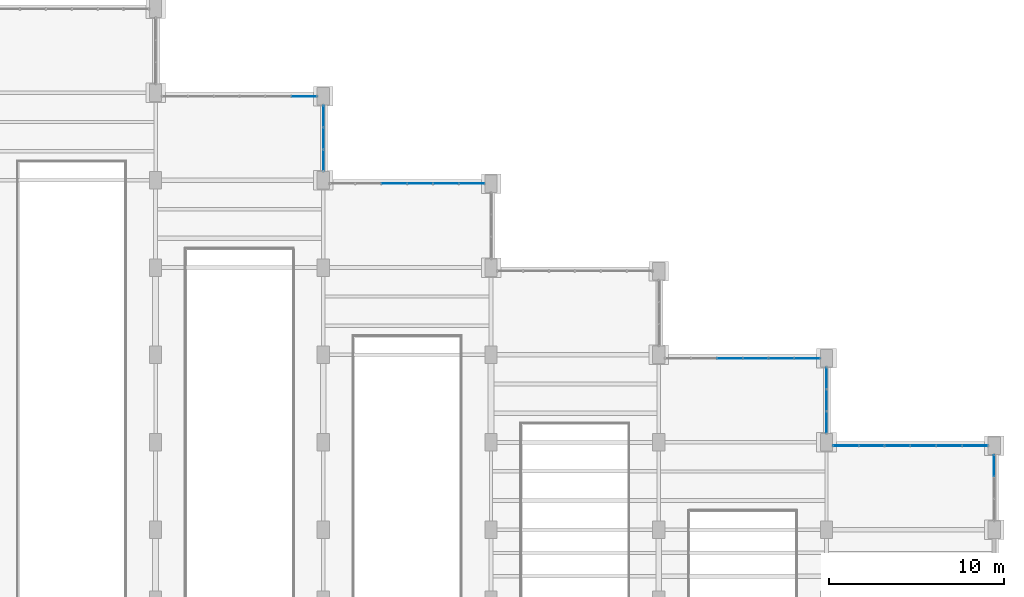
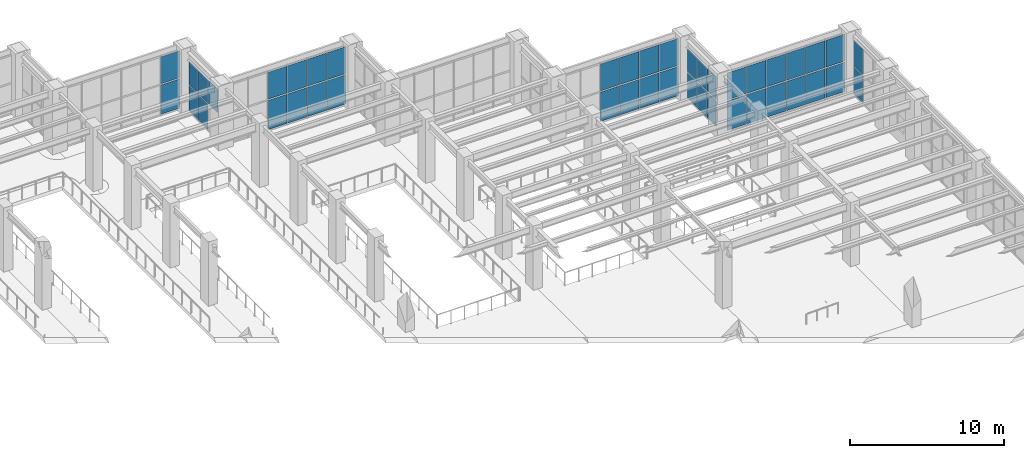
# One storey, part 139 of 174: 43 plates, 7 elements without a shape of their own.
"""IFC4 building model written with IfcOpenShell, lengths in metres."""

import ifcopenshell
import ifcopenshell.guid

model = None  # the IFC model being written
_history = None  # IfcOwnerHistory: only IFC2X3 demands one
_inside = {}  # id of a spatial element -> (the spatial element, [elements in it])
_under = {}  # id of a project, library or spatial element -> (it, [spatial elements below it])
_declared = {}  # id of a project -> (the project, [libraries it declares])
_typed = {}  # id of a type object -> (the type object, [elements of that type])
_made_of = {}  # id of a material, layer set ... -> (it, [elements and type objects made of it])


def new_model(schema):
    """Start an empty IFC model of exactly this schema.

    Asked for "IFC4X3", IfcOpenShell would pick the latest addendum, in which some entities
    have other attributes; the version numbers below select the first issue.
    IFC2X3 requires an IfcOwnerHistory on every rooted entity: one is made here for all.
    """
    global model, _history
    if schema == "IFC4X3":
        model = ifcopenshell.file(schema_version=(4, 3, 0, 0))
    else:
        model = ifcopenshell.file(schema=schema)
    _inside.clear()
    _under.clear()
    _declared.clear()
    _typed.clear()
    _made_of.clear()
    _history = None
    if model.schema == "IFC2X3":
        org = make("IfcOrganization", Name="unknown")
        user = make(
            "IfcPersonAndOrganization",
            ThePerson=make("IfcPerson", FamilyName="unknown"),
            TheOrganization=org,
        )
        app = make(
            "IfcApplication",
            ApplicationDeveloper=org,
            Version="unknown",
            ApplicationFullName="unknown",
            ApplicationIdentifier="unknown",
        )
        _history = make(
            "IfcOwnerHistory",
            OwningUser=user,
            OwningApplication=app,
            ChangeAction="ADDED",
            CreationDate=0,
        )
    return model


def make(cls, **values):
    """One entity of the class cls with the attributes given. An attribute that is None is left unset."""
    return model.create_entity(
        cls, **{name: value for name, value in values.items() if value is not None}
    )


def rooted(cls, **values):
    """An entity with a GlobalId (a new one), such as an element, a storey or a relation."""
    return make(cls, GlobalId=ifcopenshell.guid.new(), OwnerHistory=_history, **values)


def si_unit(unit_type, name, prefix=None):
    """IfcSIUnit, for example si_unit("LENGTHUNIT", "METRE", prefix="MILLI")."""
    return make("IfcSIUnit", UnitType=unit_type, Prefix=prefix, Name=name)


def assignment(units):
    """IfcUnitAssignment: the units of a project."""
    return None if units is None else make("IfcUnitAssignment", Units=units)


def point(xyz):
    """IfcCartesianPoint."""
    return None if xyz is None else make("IfcCartesianPoint", Coordinates=xyz)


def direction(xyz):
    """IfcDirection."""
    return None if xyz is None else make("IfcDirection", DirectionRatios=xyz)


def frame(location, z_axis=None, x_axis=None):
    """IfcAxis2Placement3D, a coordinate frame: its origin and axes. An axis left out is left unset."""
    return make(
        "IfcAxis2Placement3D",
        Location=point(location),
        Axis=direction(z_axis),
        RefDirection=direction(x_axis),
    )


def frame_2d(location, x_axis=None):
    """IfcAxis2Placement2D, a coordinate frame in the plane: its origin and x axis."""
    return make(
        "IfcAxis2Placement2D", Location=point(location), RefDirection=direction(x_axis)
    )


def origin():
    """The frame at (0, 0, 0) with its axes left unset."""
    return frame((0.0, 0.0, 0.0))


def origin_2d():
    """The frame at (0, 0) in the plane with its x axis left unset."""
    return frame_2d((0.0, 0.0))


def place(relative_to, where):
    """IfcLocalPlacement: puts the frame where relative to a parent placement (None: the world)."""
    return make(
        "IfcLocalPlacement", PlacementRelTo=relative_to, RelativePlacement=where
    )


def context(
    kind, dimensions, precision=None, world=None, true_north=None, identifier=None
):
    """IfcGeometricRepresentationContext, for example the 3D "Model" context."""
    return make(
        "IfcGeometricRepresentationContext",
        ContextIdentifier=identifier,
        ContextType=kind,
        CoordinateSpaceDimension=dimensions,
        Precision=precision,
        WorldCoordinateSystem=world,
        TrueNorth=true_north,
    )


def subcontext(parent, identifier, kind, view, scale=None):
    """IfcGeometricRepresentationSubContext, for example "Body" below "Model"."""
    return make(
        "IfcGeometricRepresentationSubContext",
        ContextIdentifier=identifier,
        ContextType=kind,
        ParentContext=parent,
        TargetScale=scale,
        TargetView=view,
    )


def project(units=None, contexts=None):
    """IfcProject with its units and contexts."""
    return rooted(
        "IfcProject",
        Name="project",
        RepresentationContexts=contexts,
        UnitsInContext=assignment(units),
    )


def spatial(cls, under=None, at=None, **own):
    """A site, building, storey or space (cls), placed at a placement, below another one or the project."""
    s = rooted(cls, ObjectPlacement=at, **own)
    if under is not None:
        _under.setdefault(under.id(), (under, []))[1].append(s)
    return s


def profile(cls, at=None, kind="AREA", **sizes):
    """A parametric profile (cls). Its sizes go by their IFC names, for example OverallWidth=200.0."""
    return make(cls, ProfileType=kind, Position=at, **sizes)


def rectangle(**sizes):
    """IfcRectangleProfileDef."""
    return profile("IfcRectangleProfileDef", **sizes)


def extrude(swept, where, along, depth):
    """IfcExtrudedAreaSolid: the profile swept, set in the frame where, extruded along a direction by depth."""
    return make(
        "IfcExtrudedAreaSolid",
        SweptArea=swept,
        Position=where,
        ExtrudedDirection=direction(along),
        Depth=depth,
    )


def shape(context_of_items, identifier, shape_type, items):
    """IfcShapeRepresentation: the items that make up one representation, for example the "Body"."""
    return make(
        "IfcShapeRepresentation",
        ContextOfItems=context_of_items,
        RepresentationIdentifier=identifier,
        RepresentationType=shape_type,
        Items=items,
    )


def material(Name=None, Category=None):
    """IfcMaterial."""
    return make("IfcMaterial", Name=Name, Category=Category)


def layer(
    of_material, thickness, ventilated=None, Name=None, Category=None, Priority=None
):
    """IfcMaterialLayer: one layer of a wall or slab, of a material (None: an air gap)."""
    return make(
        "IfcMaterialLayer",
        Material=of_material,
        LayerThickness=thickness,
        IsVentilated=ventilated,
        Name=Name,
        Category=Category,
        Priority=Priority,
    )


def layer_set(layers, Name=None):
    """IfcMaterialLayerSet."""
    return make("IfcMaterialLayerSet", MaterialLayers=layers, LayerSetName=Name)


def made_of(thing, what):
    """Note that an element or type object is made of a material, layer set ...; save() writes the relation."""
    if what is not None:
        _made_of.setdefault(what.id(), (what, []))[1].append(thing)
    return thing


def type_object(cls, material=None, **own):
    """A type object (cls), such as IfcWallType, which elements share."""
    return made_of(rooted(cls, **own), material)


def element(
    cls,
    number,
    at=None,
    inside=None,
    cuts=None,
    type_object=None,
    material=None,
    context=None,
    identifier="Body",
    shape_type=None,
    held_by="IfcProductDefinitionShape",
    body=None,
    shapes=None,
    **own,
):
    """One element of the class cls, such as IfcWall. Its Tag is "e" and its number.

    at: its placement. inside: the storey or other place that contains it. cuts: it is an
    opening in that element (IfcRelVoidsElement). A single representation is given by context,
    identifier, shape_type and body (its items); several are given by shapes. held_by: the class
    of the entity that holds the representations. save() writes the other relations.
    """
    e = rooted(cls, Tag="e%d" % number, ObjectPlacement=at, **own)
    if body is not None:
        shapes = [shape(context, identifier, shape_type, body)]
    if shapes is not None:
        e.Representation = make(held_by, Representations=shapes)
    if inside is not None:
        _inside.setdefault(inside.id(), (inside, []))[1].append(e)
    if cuts is not None:
        rooted(
            "IfcRelVoidsElement", RelatingBuildingElement=cuts, RelatedOpeningElement=e
        )
    if type_object is not None:
        _typed.setdefault(type_object.id(), (type_object, []))[1].append(e)
    return made_of(e, material)


def aggregate(whole, parts):
    """IfcRelAggregates: a whole, such as a stair, and the parts it consists of."""
    return rooted("IfcRelAggregates", RelatingObject=whole, RelatedObjects=parts)


def save(model, path):
    """Write the relations noted so far, then the file.

    IfcRelAggregates (storeys below a building ...), IfcRelContainedInSpatialStructure (elements
    in a storey), IfcRelDefinesByType, IfcRelAssociatesMaterial and IfcRelDeclares: one each for
    every whole, place, type object, material and project.
    """
    for whole, parts in _under.values():
        aggregate(whole, parts)
    for where, things in _inside.values():
        rooted(
            "IfcRelContainedInSpatialStructure",
            RelatedElements=things,
            RelatingStructure=where,
        )
    for kind, things in _typed.values():
        rooted("IfcRelDefinesByType", RelatedObjects=things, RelatingType=kind)
    for what, things in _made_of.values():
        rooted("IfcRelAssociatesMaterial", RelatedObjects=things, RelatingMaterial=what)
    for by, libraries in _declared.values():
        rooted("IfcRelDeclares", RelatingContext=by, RelatedDefinitions=libraries)
    model.write(path)


model = new_model("IFC4")

# Units and contexts
model_context = context("Model", 3, precision=1e-05, world=origin(), true_north=direction((0.0, 1.0)))
body_context = subcontext(model_context, "Body", "Model", "MODEL_VIEW")
ifc_project = project(units=[si_unit("LENGTHUNIT", "METRE"), si_unit("AREAUNIT", "SQUARE_METRE"), si_unit("VOLUMEUNIT", "CUBIC_METRE"), si_unit("PLANEANGLEUNIT", "RADIAN"), si_unit("MASSUNIT", "GRAM", prefix="KILO")], contexts=[model_context])

# Site, building, storey
site_placement = place(None, origin())
site = spatial("IfcSite", under=ifc_project, at=site_placement, CompositionType="ELEMENT")
building_placement = place(site_placement, origin())
building = spatial("IfcBuilding", under=site, at=building_placement, Name="Mavantir Sound Aquarium", CompositionType="ELEMENT")
storey_placement = place(building_placement, frame((0.0, 0.0, 5.39990234375)))
storey = spatial("IfcBuildingStorey", under=building, at=storey_placement, Name="L01", CompositionType="ELEMENT", Elevation=5.39990234375)

# Curtain wall, plates
ifc_material_1 = material(Name="Anodised Marine Aluminium and Low-E Glass", Category="aluminium")
curtain_wall_type_1 = type_object("IfcCurtainWallType", Name="CW-T11", PredefinedType="USERDEFINED", material=ifc_material_1)
curtain_wall_1_placement = place(storey_placement, origin())
curtain_wall_1 = element("IfcCurtainWall", 1, at=curtain_wall_1_placement, inside=storey, type_object=curtain_wall_type_1, Name="L01 unitised curtain wall CW-11 83", ObjectType="UNITISED GLAZING", PredefinedType="USERDEFINED")
ifc_material_2 = material(Name="Solar-Control Laminated Low-E Glass", Category="glass")
ifc_layer_1 = layer(ifc_material_2, 0.028076171875, Name="Solar-Control Laminated Low-E Glass")
ifc_layer_set_1 = layer_set([ifc_layer_1], Name="Solar-Control Laminated Low-E Glass")
plate_type_1 = type_object("IfcPlateType", Name="CW-PNL-28", PredefinedType="CURTAIN_PANEL", material=ifc_layer_set_1)
plate_1_placement = place(storey_placement, frame((136.800048828125, 81.938720703125, 2.1982421875), z_axis=(0.0, 0.0, 1.0), x_axis=(0.0, 1.0, 0.0)))
plate_1 = element("IfcPlate", 2, at=plate_1_placement, type_object=plate_type_1, Name="CW-L01-083 glazed curtain panel 1.2", PredefinedType="CURTAIN_PANEL", context=body_context, shape_type="SweptSolid", body=[
    extrude(rectangle(XDim=1.21337890625, YDim=0.028076171875, at=origin_2d()), origin(), (0.0, 0.0, 1.0), 1.833740234375),
])
plate_2_placement = place(storey_placement, frame((136.800048828125, 83.199951171875, 0.10302734375), z_axis=(0.0, 0.0, 1.0), x_axis=(0.0, 1.0, 0.0)))
plate_2 = element("IfcPlate", 3, at=plate_2_placement, type_object=plate_type_1, Name="CW-L01-083 glazed curtain panel 2.1", PredefinedType="CURTAIN_PANEL", context=body_context, shape_type="SweptSolid", body=[
    extrude(rectangle(XDim=1.21337890625, YDim=0.028076171875, at=origin_2d()), origin(), (0.0, 0.0, 1.0), 1.999267578125),
])
plate_3_placement = place(storey_placement, frame((136.800048828125, 83.199951171875, 2.1982421875), z_axis=(0.0, 0.0, 1.0), x_axis=(0.0, 1.0, 0.0)))
plate_3 = element("IfcPlate", 4, at=plate_3_placement, type_object=plate_type_1, Name="CW-L01-083 glazed curtain panel 2.2", PredefinedType="CURTAIN_PANEL", context=body_context, shape_type="SweptSolid", body=[
    extrude(rectangle(XDim=1.21337890625, YDim=0.028076171875, at=origin_2d()), origin(), (0.0, 0.0, 1.0), 1.833740234375),
])
plate_4_placement = place(storey_placement, frame((136.800048828125, 84.461181640625, 0.10302734375), z_axis=(0.0, 0.0, 1.0), x_axis=(0.0, 1.0, 0.0)))
plate_4 = element("IfcPlate", 5, at=plate_4_placement, type_object=plate_type_1, Name="CW-L01-083 glazed curtain panel 3.1", PredefinedType="CURTAIN_PANEL", context=body_context, shape_type="SweptSolid", body=[
    extrude(rectangle(XDim=1.21337890625, YDim=0.028076171875, at=origin_2d()), origin(), (0.0, 0.0, 1.0), 1.999267578125),
])
plate_5_placement = place(storey_placement, frame((136.800048828125, 84.461181640625, 2.1982421875), z_axis=(0.0, 0.0, 1.0), x_axis=(0.0, 1.0, 0.0)))
plate_5 = element("IfcPlate", 6, at=plate_5_placement, type_object=plate_type_1, Name="CW-L01-083 glazed curtain panel 3.2", PredefinedType="CURTAIN_PANEL", context=body_context, shape_type="SweptSolid", body=[
    extrude(rectangle(XDim=1.21337890625, YDim=0.028076171875, at=origin_2d()), origin(), (0.0, 0.0, 1.0), 1.833740234375),
])
aggregate(curtain_wall_1, [plate_1, plate_2, plate_3, plate_4, plate_5])

curtain_wall_2_placement = place(storey_placement, origin())
curtain_wall_2 = element("IfcCurtainWall", 7, at=curtain_wall_2_placement, inside=storey, type_object=curtain_wall_type_1, Name="L01 unitised curtain wall CW-11 107", ObjectType="UNITISED GLAZING", PredefinedType="USERDEFINED")
plate_6_placement = place(storey_placement, frame((175.199951171875, 64.461181640625, 0.10302734375), z_axis=(0.0, 0.0, 1.0), x_axis=(0.0, 1.0, 0.0)))
plate_6 = element("IfcPlate", 8, at=plate_6_placement, type_object=plate_type_1, Name="CW-L01-107 glazed curtain panel 3.1", PredefinedType="CURTAIN_PANEL", context=body_context, shape_type="SweptSolid", body=[
    extrude(rectangle(XDim=1.21337890625, YDim=0.028076171875, at=origin_2d()), origin(), (0.0, 0.0, 1.0), 2.160888671875),
])
plate_7_placement = place(storey_placement, frame((175.199951171875, 64.461181640625, 2.35986328125), z_axis=(0.0, 0.0, 1.0), x_axis=(0.0, 1.0, 0.0)))
plate_7 = element("IfcPlate", 9, at=plate_7_placement, type_object=plate_type_1, Name="CW-L01-107 glazed curtain panel 3.2", PredefinedType="CURTAIN_PANEL", context=body_context, shape_type="SweptSolid", body=[
    extrude(rectangle(XDim=1.21337890625, YDim=0.028076171875, at=origin_2d()), origin(), (0.0, 0.0, 1.0), 1.983154296875),
])
aggregate(curtain_wall_2, [plate_6, plate_7])

curtain_wall_type_2 = type_object("IfcCurtainWallType", Name="CW-T13", PredefinedType="USERDEFINED", material=ifc_material_1)
curtain_wall_3_placement = place(storey_placement, origin())
curtain_wall_3 = element("IfcCurtainWall", 10, at=curtain_wall_3_placement, inside=storey, type_object=curtain_wall_type_2, Name="L01 unitised curtain wall CW-13 109", ObjectType="UNITISED GLAZING", PredefinedType="USERDEFINED")
plate_8_placement = place(storey_placement, frame((165.60009765625, 66.938720703125, 0.10302734375), z_axis=(0.0, 0.0, 1.0), x_axis=(0.0, 1.0, 0.0)))
plate_8 = element("IfcPlate", 11, at=plate_8_placement, type_object=plate_type_1, Name="CW-L01-109 glazed curtain panel 1.1", PredefinedType="CURTAIN_PANEL", context=body_context, shape_type="SweptSolid", body=[
    extrude(rectangle(XDim=1.21337890625, YDim=0.028076171875, at=origin_2d()), origin(), (0.0, 0.0, 1.0), 1.999267578125),
])
plate_9_placement = place(storey_placement, frame((165.60009765625, 66.938720703125, 2.1982421875), z_axis=(0.0, 0.0, 1.0), x_axis=(0.0, 1.0, 0.0)))
plate_9 = element("IfcPlate", 12, at=plate_9_placement, type_object=plate_type_1, Name="CW-L01-109 glazed curtain panel 1.2", PredefinedType="CURTAIN_PANEL", context=body_context, shape_type="SweptSolid", body=[
    extrude(rectangle(XDim=1.21337890625, YDim=0.028076171875, at=origin_2d()), origin(), (0.0, 0.0, 1.0), 1.833740234375),
])
plate_10_placement = place(storey_placement, frame((165.60009765625, 68.199951171875, 0.10302734375), z_axis=(0.0, 0.0, 1.0), x_axis=(0.0, 1.0, 0.0)))
plate_10 = element("IfcPlate", 13, at=plate_10_placement, type_object=plate_type_1, Name="CW-L01-109 glazed curtain panel 2.1", PredefinedType="CURTAIN_PANEL", context=body_context, shape_type="SweptSolid", body=[
    extrude(rectangle(XDim=1.21337890625, YDim=0.028076171875, at=origin_2d()), origin(), (0.0, 0.0, 1.0), 1.999267578125),
])
plate_11_placement = place(storey_placement, frame((165.60009765625, 68.199951171875, 2.1982421875), z_axis=(0.0, 0.0, 1.0), x_axis=(0.0, 1.0, 0.0)))
plate_11 = element("IfcPlate", 14, at=plate_11_placement, type_object=plate_type_1, Name="CW-L01-109 glazed curtain panel 2.2", PredefinedType="CURTAIN_PANEL", context=body_context, shape_type="SweptSolid", body=[
    extrude(rectangle(XDim=1.21337890625, YDim=0.028076171875, at=origin_2d()), origin(), (0.0, 0.0, 1.0), 1.833740234375),
])
plate_12_placement = place(storey_placement, frame((165.60009765625, 69.461181640625, 0.10302734375), z_axis=(0.0, 0.0, 1.0), x_axis=(0.0, 1.0, 0.0)))
plate_12 = element("IfcPlate", 15, at=plate_12_placement, type_object=plate_type_1, Name="CW-L01-109 glazed curtain panel 3.1", PredefinedType="CURTAIN_PANEL", context=body_context, shape_type="SweptSolid", body=[
    extrude(rectangle(XDim=1.21337890625, YDim=0.028076171875, at=origin_2d()), origin(), (0.0, 0.0, 1.0), 1.999267578125),
])
plate_13_placement = place(storey_placement, frame((165.60009765625, 69.461181640625, 2.1982421875), z_axis=(0.0, 0.0, 1.0), x_axis=(0.0, 1.0, 0.0)))
plate_13 = element("IfcPlate", 16, at=plate_13_placement, type_object=plate_type_1, Name="CW-L01-109 glazed curtain panel 3.2", PredefinedType="CURTAIN_PANEL", context=body_context, shape_type="SweptSolid", body=[
    extrude(rectangle(XDim=1.21337890625, YDim=0.028076171875, at=origin_2d()), origin(), (0.0, 0.0, 1.0), 1.833740234375),
])
aggregate(curtain_wall_3, [plate_8, plate_9, plate_10, plate_11, plate_12, plate_13])

curtain_wall_type_3 = type_object("IfcCurtainWallType", Name="CW-T10", PredefinedType="USERDEFINED", material=ifc_material_1)
curtain_wall_4_placement = place(storey_placement, origin())
curtain_wall_4 = element("IfcCurtainWall", 17, at=curtain_wall_4_placement, inside=storey, type_object=curtain_wall_type_3, Name="L01 unitised curtain wall CW-10 82", ObjectType="UNITISED GLAZING", PredefinedType="USERDEFINED")
ifc_layer_2 = layer(ifc_material_2, 0.031982421875, Name="Solar-Control Laminated Low-E Glass")
ifc_layer_set_2 = layer_set([ifc_layer_2], Name="Solar-Control Laminated Low-E Glass")
plate_type_2 = type_object("IfcPlateType", Name="CW-PNL-32", PredefinedType="CURTAIN_PANEL", material=ifc_layer_set_2)
plate_14_placement = place(storey_placement, frame((145.3017578125, 80.60009765625, 0.10302734375), z_axis=(0.0, 0.0, 1.0), x_axis=(-1.0, 0.0, 0.0)))
plate_14 = element("IfcPlate", 18, at=plate_14_placement, type_object=plate_type_2, Name="CW-L01-082 glazed curtain panel 1.1", PredefinedType="CURTAIN_PANEL", context=body_context, shape_type="SweptSolid", body=[
    extrude(rectangle(XDim=1.4326171875, YDim=0.031982421875, at=origin_2d()), origin(), (0.0, 0.0, 1.0), 2.32421875),
])
plate_15_placement = place(storey_placement, frame((145.3017578125, 80.60009765625, 2.523193359375), z_axis=(0.0, 0.0, 1.0), x_axis=(-1.0, 0.0, 0.0)))
plate_15 = element("IfcPlate", 19, at=plate_15_placement, type_object=plate_type_2, Name="CW-L01-082 glazed curtain panel 1.2", PredefinedType="CURTAIN_PANEL", context=body_context, shape_type="SweptSolid", body=[
    extrude(rectangle(XDim=1.4326171875, YDim=0.031982421875, at=origin_2d()), origin(), (0.0, 0.0, 1.0), 2.1337890625),
])
plate_16_placement = place(storey_placement, frame((143.821044921875, 80.60009765625, 0.10302734375), z_axis=(0.0, 0.0, 1.0), x_axis=(-1.0, 0.0, 0.0)))
plate_16 = element("IfcPlate", 20, at=plate_16_placement, type_object=plate_type_2, Name="CW-L01-082 glazed curtain panel 2.1", PredefinedType="CURTAIN_PANEL", context=body_context, shape_type="SweptSolid", body=[
    extrude(rectangle(XDim=1.4326171875, YDim=0.031982421875, at=origin_2d()), origin(), (0.0, 0.0, 1.0), 2.32421875),
])
plate_17_placement = place(storey_placement, frame((143.821044921875, 80.60009765625, 2.523193359375), z_axis=(0.0, 0.0, 1.0), x_axis=(-1.0, 0.0, 0.0)))
plate_17 = element("IfcPlate", 21, at=plate_17_placement, type_object=plate_type_2, Name="CW-L01-082 glazed curtain panel 2.2", PredefinedType="CURTAIN_PANEL", context=body_context, shape_type="SweptSolid", body=[
    extrude(rectangle(XDim=1.4326171875, YDim=0.031982421875, at=origin_2d()), origin(), (0.0, 0.0, 1.0), 2.1337890625),
])
plate_18_placement = place(storey_placement, frame((142.34033203125, 80.60009765625, 0.10302734375), z_axis=(0.0, 0.0, 1.0), x_axis=(-1.0, 0.0, 0.0)))
plate_18 = element("IfcPlate", 22, at=plate_18_placement, type_object=plate_type_2, Name="CW-L01-082 glazed curtain panel 3.1", PredefinedType="CURTAIN_PANEL", context=body_context, shape_type="SweptSolid", body=[
    extrude(rectangle(XDim=1.4326171875, YDim=0.031982421875, at=origin_2d()), origin(), (0.0, 0.0, 1.0), 2.32421875),
])
plate_19_placement = place(storey_placement, frame((142.34033203125, 80.60009765625, 2.523193359375), z_axis=(0.0, 0.0, 1.0), x_axis=(-1.0, 0.0, 0.0)))
plate_19 = element("IfcPlate", 23, at=plate_19_placement, type_object=plate_type_2, Name="CW-L01-082 glazed curtain panel 3.2", PredefinedType="CURTAIN_PANEL", context=body_context, shape_type="SweptSolid", body=[
    extrude(rectangle(XDim=1.4326171875, YDim=0.031982421875, at=origin_2d()), origin(), (0.0, 0.0, 1.0), 2.1337890625),
])
plate_20_placement = place(storey_placement, frame((140.859619140625, 80.60009765625, 0.10302734375), z_axis=(0.0, 0.0, 1.0), x_axis=(-1.0, 0.0, 0.0)))
plate_20 = element("IfcPlate", 24, at=plate_20_placement, type_object=plate_type_2, Name="CW-L01-082 glazed curtain panel 4.1", PredefinedType="CURTAIN_PANEL", context=body_context, shape_type="SweptSolid", body=[
    extrude(rectangle(XDim=1.4326171875, YDim=0.031982421875, at=origin_2d()), origin(), (0.0, 0.0, 1.0), 2.32421875),
])
plate_21_placement = place(storey_placement, frame((140.859619140625, 80.60009765625, 2.523193359375), z_axis=(0.0, 0.0, 1.0), x_axis=(-1.0, 0.0, 0.0)))
plate_21 = element("IfcPlate", 25, at=plate_21_placement, type_object=plate_type_2, Name="CW-L01-082 glazed curtain panel 4.2", PredefinedType="CURTAIN_PANEL", context=body_context, shape_type="SweptSolid", body=[
    extrude(rectangle(XDim=1.4326171875, YDim=0.031982421875, at=origin_2d()), origin(), (0.0, 0.0, 1.0), 2.1337890625),
])
aggregate(curtain_wall_4, [plate_14, plate_15, plate_16, plate_17, plate_18, plate_19, plate_20, plate_21])

curtain_wall_type_4 = type_object("IfcCurtainWallType", Name="CW-T12", PredefinedType="USERDEFINED", material=ifc_material_1)
curtain_wall_5_placement = place(storey_placement, origin())
curtain_wall_5 = element("IfcCurtainWall", 26, at=curtain_wall_5_placement, inside=storey, type_object=curtain_wall_type_4, Name="L01 unitised curtain wall CW-12 84", ObjectType="UNITISED GLAZING", PredefinedType="USERDEFINED")
plate_22_placement = place(storey_placement, frame((135.70166015625, 85.60009765625, 0.10302734375), z_axis=(0.0, 0.0, 1.0), x_axis=(-1.0, 0.0, 0.0)))
plate_22 = element("IfcPlate", 27, at=plate_22_placement, type_object=plate_type_2, Name="CW-L01-084 glazed curtain panel 1.1", PredefinedType="CURTAIN_PANEL", context=body_context, shape_type="SweptSolid", body=[
    extrude(rectangle(XDim=1.4326171875, YDim=0.031982421875, at=origin_2d()), origin(), (0.0, 0.0, 1.0), 2.32421875),
])
plate_23_placement = place(storey_placement, frame((135.70166015625, 85.60009765625, 2.523193359375), z_axis=(0.0, 0.0, 1.0), x_axis=(-1.0, 0.0, 0.0)))
plate_23 = element("IfcPlate", 28, at=plate_23_placement, type_object=plate_type_2, Name="CW-L01-084 glazed curtain panel 1.2", PredefinedType="CURTAIN_PANEL", context=body_context, shape_type="SweptSolid", body=[
    extrude(rectangle(XDim=1.4326171875, YDim=0.031982421875, at=origin_2d()), origin(), (0.0, 0.0, 1.0), 2.1337890625),
])
aggregate(curtain_wall_5, [plate_22, plate_23])

curtain_wall_6_placement = place(storey_placement, origin())
curtain_wall_6 = element("IfcCurtainWall", 29, at=curtain_wall_6_placement, inside=storey, type_object=curtain_wall_type_4, Name="L01 unitised curtain wall CW-12 108", ObjectType="UNITISED GLAZING", PredefinedType="USERDEFINED")
plate_24_placement = place(storey_placement, frame((174.101806640625, 65.60009765625, 0.10302734375), z_axis=(0.0, 0.0, 1.0), x_axis=(-1.0, 0.0, 0.0)))
plate_24 = element("IfcPlate", 30, at=plate_24_placement, type_object=plate_type_2, Name="CW-L01-108 glazed curtain panel 1.1", PredefinedType="CURTAIN_PANEL", context=body_context, shape_type="SweptSolid", body=[
    extrude(rectangle(XDim=1.4326171875, YDim=0.031982421875, at=origin_2d()), origin(), (0.0, 0.0, 1.0), 2.32421875),
])
plate_25_placement = place(storey_placement, frame((174.101806640625, 65.60009765625, 2.523193359375), z_axis=(0.0, 0.0, 1.0), x_axis=(-1.0, 0.0, 0.0)))
plate_25 = element("IfcPlate", 31, at=plate_25_placement, type_object=plate_type_2, Name="CW-L01-108 glazed curtain panel 1.2", PredefinedType="CURTAIN_PANEL", context=body_context, shape_type="SweptSolid", body=[
    extrude(rectangle(XDim=1.4326171875, YDim=0.031982421875, at=origin_2d()), origin(), (0.0, 0.0, 1.0), 2.1337890625),
])
plate_26_placement = place(storey_placement, frame((172.62109375, 65.60009765625, 0.10302734375), z_axis=(0.0, 0.0, 1.0), x_axis=(-1.0, 0.0, 0.0)))
plate_26 = element("IfcPlate", 32, at=plate_26_placement, type_object=plate_type_2, Name="CW-L01-108 glazed curtain panel 2.1", PredefinedType="CURTAIN_PANEL", context=body_context, shape_type="SweptSolid", body=[
    extrude(rectangle(XDim=1.4326171875, YDim=0.031982421875, at=origin_2d()), origin(), (0.0, 0.0, 1.0), 2.32421875),
])
plate_27_placement = place(storey_placement, frame((172.62109375, 65.60009765625, 2.523193359375), z_axis=(0.0, 0.0, 1.0), x_axis=(-1.0, 0.0, 0.0)))
plate_27 = element("IfcPlate", 33, at=plate_27_placement, type_object=plate_type_2, Name="CW-L01-108 glazed curtain panel 2.2", PredefinedType="CURTAIN_PANEL", context=body_context, shape_type="SweptSolid", body=[
    extrude(rectangle(XDim=1.4326171875, YDim=0.031982421875, at=origin_2d()), origin(), (0.0, 0.0, 1.0), 2.1337890625),
])
plate_28_placement = place(storey_placement, frame((171.140380859375, 65.60009765625, 0.10302734375), z_axis=(0.0, 0.0, 1.0), x_axis=(-1.0, 0.0, 0.0)))
plate_28 = element("IfcPlate", 34, at=plate_28_placement, type_object=plate_type_2, Name="CW-L01-108 glazed curtain panel 3.1", PredefinedType="CURTAIN_PANEL", context=body_context, shape_type="SweptSolid", body=[
    extrude(rectangle(XDim=1.4326171875, YDim=0.031982421875, at=origin_2d()), origin(), (0.0, 0.0, 1.0), 2.32421875),
])
plate_29_placement = place(storey_placement, frame((171.140380859375, 65.60009765625, 2.523193359375), z_axis=(0.0, 0.0, 1.0), x_axis=(-1.0, 0.0, 0.0)))
plate_29 = element("IfcPlate", 35, at=plate_29_placement, type_object=plate_type_2, Name="CW-L01-108 glazed curtain panel 3.2", PredefinedType="CURTAIN_PANEL", context=body_context, shape_type="SweptSolid", body=[
    extrude(rectangle(XDim=1.4326171875, YDim=0.031982421875, at=origin_2d()), origin(), (0.0, 0.0, 1.0), 2.1337890625),
])
plate_30_placement = place(storey_placement, frame((169.65966796875, 65.60009765625, 0.10302734375), z_axis=(0.0, 0.0, 1.0), x_axis=(-1.0, 0.0, 0.0)))
plate_30 = element("IfcPlate", 36, at=plate_30_placement, type_object=plate_type_2, Name="CW-L01-108 glazed curtain panel 4.1", PredefinedType="CURTAIN_PANEL", context=body_context, shape_type="SweptSolid", body=[
    extrude(rectangle(XDim=1.4326171875, YDim=0.031982421875, at=origin_2d()), origin(), (0.0, 0.0, 1.0), 2.32421875),
])
plate_31_placement = place(storey_placement, frame((169.65966796875, 65.60009765625, 2.523193359375), z_axis=(0.0, 0.0, 1.0), x_axis=(-1.0, 0.0, 0.0)))
plate_31 = element("IfcPlate", 37, at=plate_31_placement, type_object=plate_type_2, Name="CW-L01-108 glazed curtain panel 4.2", PredefinedType="CURTAIN_PANEL", context=body_context, shape_type="SweptSolid", body=[
    extrude(rectangle(XDim=1.4326171875, YDim=0.031982421875, at=origin_2d()), origin(), (0.0, 0.0, 1.0), 2.1337890625),
])
plate_32_placement = place(storey_placement, frame((168.178955078125, 65.60009765625, 0.10302734375), z_axis=(0.0, 0.0, 1.0), x_axis=(-1.0, 0.0, 0.0)))
plate_32 = element("IfcPlate", 38, at=plate_32_placement, type_object=plate_type_2, Name="CW-L01-108 glazed curtain panel 5.1", PredefinedType="CURTAIN_PANEL", context=body_context, shape_type="SweptSolid", body=[
    extrude(rectangle(XDim=1.4326171875, YDim=0.031982421875, at=origin_2d()), origin(), (0.0, 0.0, 1.0), 2.32421875),
])
plate_33_placement = place(storey_placement, frame((168.178955078125, 65.60009765625, 2.523193359375), z_axis=(0.0, 0.0, 1.0), x_axis=(-1.0, 0.0, 0.0)))
plate_33 = element("IfcPlate", 39, at=plate_33_placement, type_object=plate_type_2, Name="CW-L01-108 glazed curtain panel 5.2", PredefinedType="CURTAIN_PANEL", context=body_context, shape_type="SweptSolid", body=[
    extrude(rectangle(XDim=1.4326171875, YDim=0.031982421875, at=origin_2d()), origin(), (0.0, 0.0, 1.0), 2.1337890625),
])
plate_34_placement = place(storey_placement, frame((166.6982421875, 65.60009765625, 0.10302734375), z_axis=(0.0, 0.0, 1.0), x_axis=(-1.0, 0.0, 0.0)))
plate_34 = element("IfcPlate", 40, at=plate_34_placement, type_object=plate_type_2, Name="CW-L01-108 glazed curtain panel 6.1", PredefinedType="CURTAIN_PANEL", context=body_context, shape_type="SweptSolid", body=[
    extrude(rectangle(XDim=1.4326171875, YDim=0.031982421875, at=origin_2d()), origin(), (0.0, 0.0, 1.0), 2.32421875),
])
plate_35_placement = place(storey_placement, frame((166.6982421875, 65.60009765625, 2.523193359375), z_axis=(0.0, 0.0, 1.0), x_axis=(-1.0, 0.0, 0.0)))
plate_35 = element("IfcPlate", 41, at=plate_35_placement, type_object=plate_type_2, Name="CW-L01-108 glazed curtain panel 6.2", PredefinedType="CURTAIN_PANEL", context=body_context, shape_type="SweptSolid", body=[
    extrude(rectangle(XDim=1.4326171875, YDim=0.031982421875, at=origin_2d()), origin(), (0.0, 0.0, 1.0), 2.1337890625),
])
aggregate(curtain_wall_6, [plate_24, plate_25, plate_26, plate_27, plate_28, plate_29, plate_30, plate_31, plate_32, plate_33, plate_34, plate_35])

curtain_wall_type_5 = type_object("IfcCurtainWallType", Name="CW-T14", PredefinedType="USERDEFINED", material=ifc_material_1)
curtain_wall_7_placement = place(storey_placement, origin())
curtain_wall_7 = element("IfcCurtainWall", 42, at=curtain_wall_7_placement, inside=storey, type_object=curtain_wall_type_5, Name="L01 unitised curtain wall CW-14 110", ObjectType="UNITISED GLAZING", PredefinedType="USERDEFINED")
plate_36_placement = place(storey_placement, frame((164.501708984375, 70.60009765625, 0.10302734375), z_axis=(0.0, 0.0, 1.0), x_axis=(-1.0, 0.0, 0.0)))
plate_36 = element("IfcPlate", 43, at=plate_36_placement, type_object=plate_type_2, Name="CW-L01-110 glazed curtain panel 1.1", PredefinedType="CURTAIN_PANEL", context=body_context, shape_type="SweptSolid", body=[
    extrude(rectangle(XDim=1.4326171875, YDim=0.031982421875, at=origin_2d()), origin(), (0.0, 0.0, 1.0), 2.32421875),
])
plate_37_placement = place(storey_placement, frame((164.501708984375, 70.60009765625, 2.523193359375), z_axis=(0.0, 0.0, 1.0), x_axis=(-1.0, 0.0, 0.0)))
plate_37 = element("IfcPlate", 44, at=plate_37_placement, type_object=plate_type_2, Name="CW-L01-110 glazed curtain panel 1.2", PredefinedType="CURTAIN_PANEL", context=body_context, shape_type="SweptSolid", body=[
    extrude(rectangle(XDim=1.4326171875, YDim=0.031982421875, at=origin_2d()), origin(), (0.0, 0.0, 1.0), 2.1337890625),
])
plate_38_placement = place(storey_placement, frame((163.02099609375, 70.60009765625, 0.10302734375), z_axis=(0.0, 0.0, 1.0), x_axis=(-1.0, 0.0, 0.0)))
plate_38 = element("IfcPlate", 45, at=plate_38_placement, type_object=plate_type_2, Name="CW-L01-110 glazed curtain panel 2.1", PredefinedType="CURTAIN_PANEL", context=body_context, shape_type="SweptSolid", body=[
    extrude(rectangle(XDim=1.4326171875, YDim=0.031982421875, at=origin_2d()), origin(), (0.0, 0.0, 1.0), 2.32421875),
])
plate_39_placement = place(storey_placement, frame((163.02099609375, 70.60009765625, 2.523193359375), z_axis=(0.0, 0.0, 1.0), x_axis=(-1.0, 0.0, 0.0)))
plate_39 = element("IfcPlate", 46, at=plate_39_placement, type_object=plate_type_2, Name="CW-L01-110 glazed curtain panel 2.2", PredefinedType="CURTAIN_PANEL", context=body_context, shape_type="SweptSolid", body=[
    extrude(rectangle(XDim=1.4326171875, YDim=0.031982421875, at=origin_2d()), origin(), (0.0, 0.0, 1.0), 2.1337890625),
])
plate_40_placement = place(storey_placement, frame((161.540283203125, 70.60009765625, 0.10302734375), z_axis=(0.0, 0.0, 1.0), x_axis=(-1.0, 0.0, 0.0)))
plate_40 = element("IfcPlate", 47, at=plate_40_placement, type_object=plate_type_2, Name="CW-L01-110 glazed curtain panel 3.1", PredefinedType="CURTAIN_PANEL", context=body_context, shape_type="SweptSolid", body=[
    extrude(rectangle(XDim=1.4326171875, YDim=0.031982421875, at=origin_2d()), origin(), (0.0, 0.0, 1.0), 2.32421875),
])
plate_41_placement = place(storey_placement, frame((161.540283203125, 70.60009765625, 2.523193359375), z_axis=(0.0, 0.0, 1.0), x_axis=(-1.0, 0.0, 0.0)))
plate_41 = element("IfcPlate", 48, at=plate_41_placement, type_object=plate_type_2, Name="CW-L01-110 glazed curtain panel 3.2", PredefinedType="CURTAIN_PANEL", context=body_context, shape_type="SweptSolid", body=[
    extrude(rectangle(XDim=1.4326171875, YDim=0.031982421875, at=origin_2d()), origin(), (0.0, 0.0, 1.0), 2.1337890625),
])
plate_42_placement = place(storey_placement, frame((160.059814453125, 70.60009765625, 0.10302734375), z_axis=(0.0, 0.0, 1.0), x_axis=(-1.0, 0.0, 0.0)))
plate_42 = element("IfcPlate", 49, at=plate_42_placement, type_object=plate_type_2, Name="CW-L01-110 glazed curtain panel 4.1", PredefinedType="CURTAIN_PANEL", context=body_context, shape_type="SweptSolid", body=[
    extrude(rectangle(XDim=1.4326171875, YDim=0.031982421875, at=origin_2d()), origin(), (0.0, 0.0, 1.0), 2.32421875),
])
plate_43_placement = place(storey_placement, frame((160.059814453125, 70.60009765625, 2.523193359375), z_axis=(0.0, 0.0, 1.0), x_axis=(-1.0, 0.0, 0.0)))
plate_43 = element("IfcPlate", 50, at=plate_43_placement, type_object=plate_type_2, Name="CW-L01-110 glazed curtain panel 4.2", PredefinedType="CURTAIN_PANEL", context=body_context, shape_type="SweptSolid", body=[
    extrude(rectangle(XDim=1.4326171875, YDim=0.031982421875, at=origin_2d()), origin(), (0.0, 0.0, 1.0), 2.1337890625),
])
aggregate(curtain_wall_7, [plate_36, plate_37, plate_38, plate_39, plate_40, plate_41, plate_42, plate_43])

save(model, "model.ifc")
